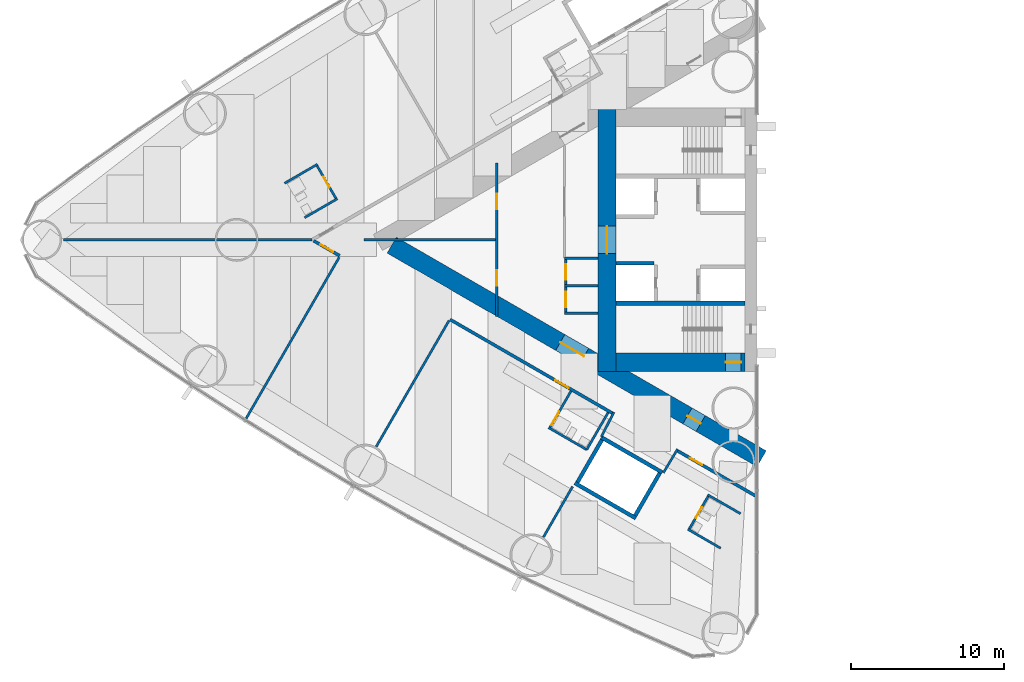
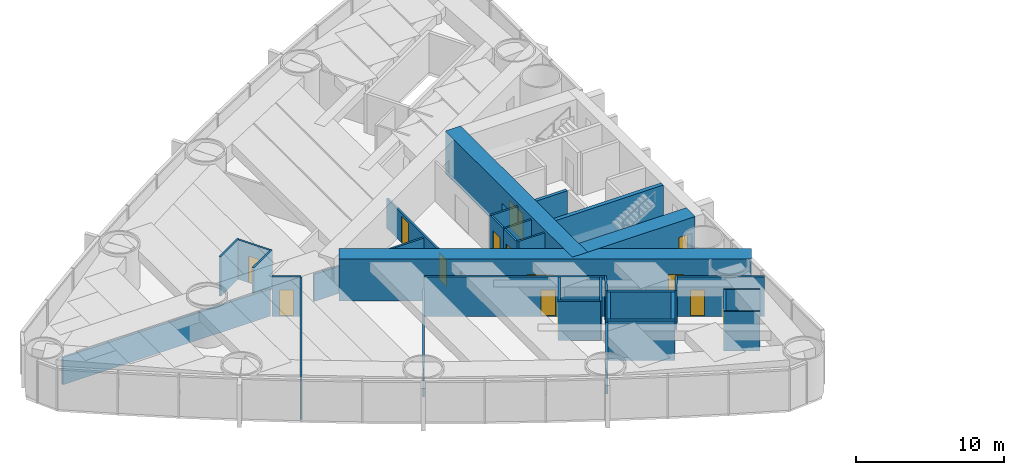
# One storey, part 11 of 18: 34 walls, 14 doors, 14 openings.
"""IFC4 building model written with IfcOpenShell, lengths in metres."""

from ifc_helpers import new_model, si_unit, direction, frame, frame_2d, origin, place, context, subcontext, project, spatial, rectangle, extrude, material, layer, layer_set, type_object, element, fill, save


model = new_model("IFC4")

# Units and contexts
model_context = context("Model", 3, precision=1e-05, world=origin(), true_north=direction((0.0, 1.0)))
body_context = subcontext(model_context, "Body", "Model", "MODEL_VIEW")
ifc_project = project(units=[si_unit("LENGTHUNIT", "METRE"), si_unit("AREAUNIT", "SQUARE_METRE"), si_unit("VOLUMEUNIT", "CUBIC_METRE"), si_unit("PLANEANGLEUNIT", "RADIAN"), si_unit("MASSUNIT", "GRAM", prefix="KILO")], contexts=[model_context])

# Site, building, storey
site_placement = place(None, origin())
site = spatial("IfcSite", under=ifc_project, at=site_placement, CompositionType="ELEMENT")
building_placement = place(site_placement, origin())
building = spatial("IfcBuilding", under=site, at=building_placement, Name="Lancet Gate Hotel", CompositionType="ELEMENT")
storey_placement = place(building_placement, frame((0.0, 0.0, 49.5)))
storey = spatial("IfcBuildingStorey", under=building, at=storey_placement, Name="L12", CompositionType="ELEMENT", Elevation=49.5)

# Wall
ifc_material_1 = material(Name="Moisture resistant board partition")
ifc_layer_1 = layer(ifc_material_1, 0.14990234375)
ifc_layer_set_1 = layer_set([ifc_layer_1], Name="Bathroom wall 150")
wall_type_1 = type_object("IfcWallType", Name="Bathroom wall 150", PredefinedType="PARTITIONING", material=ifc_layer_set_1)
wall_1_placement = place(storey_placement, frame((-56.215087890625, 4.938232421875, 0.0), z_axis=(0.0, 0.0, 1.0), x_axis=(-0.866006523861, -0.500032699561, 0.0)))
element("IfcWall", 1, at=wall_1_placement, inside=storey, type_object=wall_type_1, Name="T1 bathroom wall 150 L12", PredefinedType="PARTITIONING", context=body_context, shape_type="SweptSolid", body=[
    extrude(rectangle(XDim=2.474853515625, YDim=0.14990234375, at=frame_2d((1.2373046875, 0.0))), origin(), (0.0, 0.0, 1.0), 3.25),
])

# Wall, opening, door
wall_2_placement = place(storey_placement, frame((-54.97998046875, 2.64892578125, 0.0), z_axis=(0.0, 0.0, 1.0), x_axis=(-0.500006934395, 0.866021400173, 0.0)))
wall_2 = element("IfcWall", 2, at=wall_2_placement, inside=storey, type_object=wall_type_1, Name="T1 bathroom wall 150 L12", PredefinedType="PARTITIONING", context=body_context, shape_type="SweptSolid", body=[
    extrude(rectangle(XDim=2.60009765625, YDim=0.14990234375, at=frame_2d((1.300048828125, 0.0))), origin(), (0.0, 0.0, 1.0), 3.25),
])
opening_1_placement = place(wall_2_placement, frame((0.89990234375, 0.0, 0.0)))
opening_1 = element("IfcOpeningElement", 3, at=opening_1_placement, cuts=wall_2, Name="Opening 1203-B", PredefinedType="OPENING", context=body_context, shape_type="SweptSolid", body=[
    extrude(rectangle(XDim=0.800048828125, YDim=2.199951171875, at=frame_2d((0.39990234375, 1.10009765625))), frame((0.0, 0.0849609375, 0.0), z_axis=(0.0, -1.0, 0.0), x_axis=(1.0, 0.0, 0.0)), (0.0, 0.0, 1.0), 0.169921875),
])
ifc_material_2 = material(Name="Timber door set", Category="wood")
door_type_1 = type_object("IfcDoorType", Name="Bathroom door 800", OperationType="SINGLE_SWING_RIGHT", PredefinedType="DOOR", material=ifc_material_2)
door_1_placement = place(opening_1_placement, origin())
door_1 = element("IfcDoor", 4, at=door_1_placement, inside=storey, type_object=door_type_1, Name="1203-B", OperationType="SINGLE_SWING_RIGHT", OverallHeight=2.199951171875, OverallWidth=0.800048828125, PredefinedType="DOOR", context=body_context, shape_type="SweptSolid", body=[
    extrude(rectangle(XDim=0.800048828125, YDim=2.199951171875, at=frame_2d((0.39990234375, 1.10009765625))), frame((0.0, 0.02490234375, 0.0), z_axis=(0.0, -1.0, 0.0), x_axis=(1.0, 0.0, 0.0)), (0.0, 0.0, 1.0), 0.050048828125),
])
fill(opening_1, door_1)

# Walls
wall_3_placement = place(storey_placement, frame((-54.9150390625, 2.6865234375, 0.0), z_axis=(0.0, 0.0, 1.0), x_axis=(-0.866006523861, -0.500032699561, 0.0)))
element("IfcWall", 5, at=wall_3_placement, inside=storey, type_object=wall_type_1, Name="T1 bathroom wall 150 L12", PredefinedType="PARTITIONING", context=body_context, shape_type="SweptSolid", body=[
    extrude(rectangle(XDim=2.474853515625, YDim=0.14990234375, at=frame_2d((1.2373046875, 0.0))), origin(), (0.0, 0.0, 1.0), 3.25),
])
wall_4_placement = place(storey_placement, frame((-38.630126953125, -13.705322265625, 0.0), z_axis=(0.0, 0.0, 1.0), x_axis=(-0.866018712932, 0.500011588718, 0.0)))
element("IfcWall", 6, at=wall_4_placement, inside=storey, type_object=wall_type_1, Name="T1 bathroom wall 150 L12", PredefinedType="PARTITIONING", context=body_context, shape_type="SweptSolid", body=[
    extrude(rectangle(XDim=2.875, YDim=0.14990234375, at=frame_2d((1.4375, 0.0))), origin(), (0.0, 0.0, 1.0), 3.25),
])

# Wall, opening, door
wall_5_placement = place(storey_placement, frame((-39.65478515625, -9.88037109375, 0.0), z_axis=(0.0, 0.0, 1.0), x_axis=(-0.500049511043, -0.865996816683, 0.0)))
wall_5 = element("IfcWall", 7, at=wall_5_placement, inside=storey, type_object=wall_type_1, Name="T1 bathroom wall 150 L12", PredefinedType="PARTITIONING", context=body_context, shape_type="SweptSolid", body=[
    extrude(rectangle(XDim=2.800048828125, YDim=0.14990234375, at=frame_2d((1.39990234375, 0.0))), origin(), (0.0, 0.0, 1.0), 3.25),
])
opening_2_placement = place(wall_5_placement, frame((1.550048828125, 0.0, 0.0)))
opening_2 = element("IfcOpeningElement", 8, at=opening_2_placement, cuts=wall_5, Name="Opening 1207-B", PredefinedType="OPENING", context=body_context, shape_type="SweptSolid", body=[
    extrude(rectangle(XDim=1.0, YDim=2.199951171875, at=frame_2d((0.5, 1.10009765625))), frame((0.0, 0.0849609375, 0.0), z_axis=(0.0, -1.0, 0.0), x_axis=(1.0, 0.0, 0.0)), (0.0, 0.0, 1.0), 0.169921875),
])
ifc_material_3 = material(Name="Timber door set", Category="wood")
door_type_2 = type_object("IfcDoorType", Name="Accessible en-suite door 1000", OperationType="SINGLE_SWING_RIGHT", PredefinedType="DOOR", material=ifc_material_3)
door_2_placement = place(opening_2_placement, origin())
door_2 = element("IfcDoor", 9, at=door_2_placement, inside=storey, type_object=door_type_2, Name="1207-B", OperationType="SINGLE_SWING_RIGHT", OverallHeight=2.199951171875, OverallWidth=1.0, PredefinedType="DOOR", context=body_context, shape_type="SweptSolid", body=[
    extrude(rectangle(XDim=1.0, YDim=2.199951171875, at=frame_2d((0.5, 1.10009765625))), frame((0.0, 0.02490234375, 0.0), z_axis=(0.0, -1.0, 0.0), x_axis=(1.0, 0.0, 0.0)), (0.0, 0.0, 1.0), 0.050048828125),
])
fill(opening_2, door_2)

# Walls
wall_6_placement = place(storey_placement, frame((-37.22998046875, -11.280517578125, 0.0), z_axis=(0.0, 0.0, 1.0), x_axis=(-0.500049511043, -0.865996816683, 0.0)))
element("IfcWall", 10, at=wall_6_placement, inside=storey, type_object=wall_type_1, Name="T1 bathroom wall 150 L12", PredefinedType="PARTITIONING", context=body_context, shape_type="SweptSolid", body=[
    extrude(rectangle(XDim=2.800048828125, YDim=0.14990234375, at=frame_2d((1.39990234375, 0.0))), origin(), (0.0, 0.0, 1.0), 3.25),
])
wall_7_placement = place(storey_placement, frame((-29.8818359375, -20.1416015625, 0.0), z_axis=(0.0, 0.0, 1.0), x_axis=(-0.866031185235, 0.4999899861, 0.0)))
element("IfcWall", 11, at=wall_7_placement, inside=storey, type_object=wall_type_1, Name="T1 bathroom wall 150 L12", PredefinedType="PARTITIONING", context=body_context, shape_type="SweptSolid", body=[
    extrude(rectangle(XDim=2.47509765625, YDim=0.14990234375, at=frame_2d((1.237548828125, 0.0))), origin(), (0.0, 0.0, 1.0), 3.25),
])

# Wall, opening, door
wall_8_placement = place(storey_placement, frame((-30.660400390625, -16.68994140625, 0.0), z_axis=(0.0, 0.0, 1.0), x_axis=(-0.499936506574, -0.866062058628, 0.0)))
wall_8 = element("IfcWall", 12, at=wall_8_placement, inside=storey, type_object=wall_type_1, Name="T1 bathroom wall 150 L12", PredefinedType="PARTITIONING", context=body_context, shape_type="SweptSolid", body=[
    extrude(rectangle(XDim=2.599853515625, YDim=0.14990234375, at=frame_2d((1.2998046875, 0.0))), origin(), (0.0, 0.0, 1.0), 3.25),
])
opening_3_placement = place(wall_8_placement, frame((0.89990234375, 0.0, 0.0)))
opening_3 = element("IfcOpeningElement", 13, at=opening_3_placement, cuts=wall_8, Name="Opening 1208-B", PredefinedType="OPENING", context=body_context, shape_type="SweptSolid", body=[
    extrude(rectangle(XDim=0.800048828125, YDim=2.199951171875, at=frame_2d((0.39990234375, 1.10009765625))), frame((0.0, 0.0849609375, 0.0), z_axis=(0.0, -1.0, 0.0), x_axis=(1.0, 0.0, 0.0)), (0.0, 0.0, 1.0), 0.169921875),
])
door_3_placement = place(opening_3_placement, origin())
door_3 = element("IfcDoor", 14, at=door_3_placement, inside=storey, type_object=door_type_1, Name="1208-B", OperationType="SINGLE_SWING_RIGHT", OverallHeight=2.199951171875, OverallWidth=0.800048828125, PredefinedType="DOOR", context=body_context, shape_type="SweptSolid", body=[
    extrude(rectangle(XDim=0.800048828125, YDim=2.199951171875, at=frame_2d((0.39990234375, 1.10009765625))), frame((0.0, 0.02490234375, 0.0), z_axis=(0.0, -1.0, 0.0), x_axis=(1.0, 0.0, 0.0)), (0.0, 0.0, 1.0), 0.050048828125),
])
fill(opening_3, door_3)

# Wall
wall_9_placement = place(storey_placement, frame((-28.581787109375, -17.889892578125, 0.0), z_axis=(0.0, 0.0, 1.0), x_axis=(-0.866073894602, 0.499916002032, 0.0)))
element("IfcWall", 15, at=wall_9_placement, inside=storey, type_object=wall_type_1, Name="T1 bathroom wall 150 L12", PredefinedType="PARTITIONING", context=body_context, shape_type="SweptSolid", body=[
    extrude(rectangle(XDim=2.47509765625, YDim=0.14990234375, at=frame_2d((1.237548828125, 0.0))), origin(), (0.0, 0.0, 1.0), 3.25),
])

# Wall, openings, doors
ifc_material_4 = material(Name="Concrete C70/85", Category="concrete")
ifc_layer_2 = layer(ifc_material_4, 1.199951171875)
ifc_layer_set_2 = layer_set([ifc_layer_2], Name="Buttress wall 1200")
wall_type_2 = type_object("IfcWallType", Name="Buttress wall 1200", PredefinedType="SHEAR", material=ifc_layer_set_2)
wall_10_placement = place(storey_placement, frame((-27.199951171875, -14.300048828125, 0.0), z_axis=(0.0, 0.0, 1.0), x_axis=(-0.866024021859, 0.500002393557, 0.0)))
wall_10 = element("IfcWall", 16, at=wall_10_placement, inside=storey, type_object=wall_type_2, Name="T1 buttress wall N L12", PredefinedType="SHEAR", context=body_context, shape_type="SweptSolid", body=[
    extrude(rectangle(XDim=27.906982421875, YDim=1.199951171875, at=frame_2d((13.95361328125, 0.0))), origin(), (0.0, 0.0, 1.0), 3.5),
])
opening_4_placement = place(wall_10_placement, frame((4.60009765625, 0.0, 0.0)))
opening_4 = element("IfcOpeningElement", 17, at=opening_4_placement, cuts=wall_10, Name="Opening T1-L12-LN", PredefinedType="OPENING", context=body_context, shape_type="SweptSolid", body=[
    extrude(rectangle(XDim=1.0, YDim=2.199951171875, at=frame_2d((0.5, 1.10009765625))), frame((0.0, 0.60986328125, 0.0), z_axis=(0.0, -1.0, 0.0), x_axis=(1.0, 0.0, 0.0)), (0.0, 0.0, 1.0), 1.219970703125),
])
opening_5_placement = place(wall_10_placement, frame((13.39453125, 0.0, 0.0)))
opening_5 = element("IfcOpeningElement", 18, at=opening_5_placement, cuts=wall_10, Name="Opening T1-L12-LHN", PredefinedType="OPENING", context=body_context, shape_type="SweptSolid", body=[
    extrude(rectangle(XDim=1.800048828125, YDim=2.199951171875, at=frame_2d((0.89990234375, 1.10009765625))), frame((0.0, 0.60986328125, 0.0), z_axis=(0.0, -1.0, 0.0), x_axis=(1.0, 0.0, 0.0)), (0.0, 0.0, 1.0), 1.219970703125),
])
ifc_material_5 = material(Name="Timber door set", Category="wood")
door_type_3 = type_object("IfcDoorType", Name="Lobby double door 1800", OperationType="DOUBLE_DOOR_SINGLE_SWING", PredefinedType="DOOR", material=ifc_material_5)
door_4_placement = place(opening_5_placement, origin())
door_4 = element("IfcDoor", 19, at=door_4_placement, inside=storey, type_object=door_type_3, Name="T1-L12-LHN", OperationType="DOUBLE_DOOR_SINGLE_SWING", OverallHeight=2.199951171875, OverallWidth=1.800048828125, PredefinedType="DOOR", context=body_context, shape_type="SweptSolid", body=[
    extrude(rectangle(XDim=1.800048828125, YDim=2.199951171875, at=frame_2d((0.89990234375, 1.10009765625))), frame((0.0, 0.02490234375, 0.0), z_axis=(0.0, -1.0, 0.0), x_axis=(1.0, 0.0, 0.0)), (0.0, 0.0, 1.0), 0.050048828125),
])
fill(opening_5, door_4)
ifc_material_6 = material(Name="Timber door set", Category="wood")
door_type_4 = type_object("IfcDoorType", Name="Stair lobby door 1000", OperationType="SINGLE_SWING_LEFT", PredefinedType="DOOR", material=ifc_material_6)
door_5_placement = place(opening_4_placement, origin())
door_5 = element("IfcDoor", 20, at=door_5_placement, inside=storey, type_object=door_type_4, Name="T1-L12-LN", OperationType="SINGLE_SWING_LEFT", OverallHeight=2.199951171875, OverallWidth=1.0, PredefinedType="DOOR", context=body_context, shape_type="SweptSolid", body=[
    extrude(rectangle(XDim=1.0, YDim=2.199951171875, at=frame_2d((0.5, 1.10009765625))), frame((0.0, 0.02490234375, 0.0), z_axis=(0.0, -1.0, 0.0), x_axis=(1.0, 0.0, 0.0)), (0.0, 0.0, 1.0), 0.050048828125),
])
fill(opening_4, door_5)

# Wall, opening, door
ifc_material_7 = material(Name="Concrete C70/85", Category="concrete")
ifc_layer_3 = layer(ifc_material_7, 1.199951171875)
ifc_layer_set_3 = layer_set([ifc_layer_3], Name="Core wall 1200")
wall_type_3 = type_object("IfcWallType", Name="Core wall 1200", PredefinedType="SHEAR", material=ifc_layer_set_3)
wall_11_placement = place(storey_placement, frame((-37.300048828125, 8.60009765625, 0.0), z_axis=(0.0, 0.0, 1.0), x_axis=(0.0, -1.0, 0.0)))
wall_11 = element("IfcWall", 21, at=wall_11_placement, inside=storey, type_object=wall_type_3, Name="T1 core wall back L12", PredefinedType="SHEAR", context=body_context, shape_type="SweptSolid", body=[
    extrude(rectangle(XDim=17.2001953125, YDim=1.199951171875, at=frame_2d((8.60009765625, 0.0))), origin(), (0.0, 0.0, 1.0), 3.5),
])
opening_6_placement = place(wall_11_placement, frame((7.699951171875, 0.0, 0.0)))
opening_6 = element("IfcOpeningElement", 22, at=opening_6_placement, cuts=wall_11, Name="Opening T1-L12-LL", PredefinedType="OPENING", context=body_context, shape_type="SweptSolid", body=[
    extrude(rectangle(XDim=1.800048828125, YDim=2.199951171875, at=frame_2d((0.89990234375, 1.10009765625))), frame((0.0, 0.60986328125, 0.0), z_axis=(0.0, -1.0, 0.0), x_axis=(1.0, 0.0, 0.0)), (0.0, 0.0, 1.0), 1.219970703125),
])
door_6_placement = place(opening_6_placement, origin())
door_6 = element("IfcDoor", 23, at=door_6_placement, inside=storey, type_object=door_type_3, Name="T1-L12-LL", OperationType="DOUBLE_DOOR_SINGLE_SWING", OverallHeight=2.199951171875, OverallWidth=1.800048828125, PredefinedType="DOOR", context=body_context, shape_type="SweptSolid", body=[
    extrude(rectangle(XDim=1.800048828125, YDim=2.199951171875, at=frame_2d((0.89990234375, 1.10009765625))), frame((0.0, 0.02490234375, 0.0), z_axis=(0.0, -1.0, 0.0), x_axis=(1.0, 0.0, 0.0)), (0.0, 0.0, 1.0), 0.050048828125),
])
fill(opening_6, door_6)

wall_12_placement = place(storey_placement, frame((-28.300048828125, -8.0, 0.0), z_axis=(0.0, 0.0, 1.0), x_axis=(-1.0, 0.0, 0.0)))
wall_12 = element("IfcWall", 24, at=wall_12_placement, inside=storey, type_object=wall_type_3, Name="T1 core wall side-N L12", PredefinedType="SHEAR", context=body_context, shape_type="SweptSolid", body=[
    extrude(rectangle(XDim=8.39990234375, YDim=1.199951171875, at=frame_2d((4.199951171875, 0.0))), origin(), (0.0, 0.0, 1.0), 3.5),
])
opening_7_placement = place(wall_12_placement, frame((0.25, 0.0, 0.0)))
opening_7 = element("IfcOpeningElement", 25, at=opening_7_placement, cuts=wall_12, Name="Opening T1-L12-ST2", PredefinedType="OPENING", context=body_context, shape_type="SweptSolid", body=[
    extrude(rectangle(XDim=1.0, YDim=2.199951171875, at=frame_2d((0.5, 1.10009765625))), frame((0.0, 0.60986328125, 0.0), z_axis=(0.0, -1.0, 0.0), x_axis=(1.0, 0.0, 0.0)), (0.0, 0.0, 1.0), 1.219970703125),
])
ifc_material_8 = material(Name="Timber door set", Category="wood")
door_type_5 = type_object("IfcDoorType", Name="Stair door 1000", OperationType="SINGLE_SWING_RIGHT", PredefinedType="DOOR", material=ifc_material_8)
door_7_placement = place(opening_7_placement, origin())
door_7 = element("IfcDoor", 26, at=door_7_placement, inside=storey, type_object=door_type_5, Name="T1-L12-ST2", OperationType="SINGLE_SWING_RIGHT", OverallHeight=2.199951171875, OverallWidth=1.0, PredefinedType="DOOR", context=body_context, shape_type="SweptSolid", body=[
    extrude(rectangle(XDim=1.0, YDim=2.199951171875, at=frame_2d((0.5, 1.10009765625))), frame((0.0, 0.02490234375, 0.0), z_axis=(0.0, -1.0, 0.0), x_axis=(1.0, 0.0, 0.0)), (0.0, 0.0, 1.0), 0.050048828125),
])
fill(opening_7, door_7)

ifc_material_9 = material(Name="Gypsum board partition")
ifc_layer_4 = layer(ifc_material_9, 0.199951171875)
ifc_layer_set_4 = layer_set([ifc_layer_4], Name="Corridor wall 200")
wall_type_4 = type_object("IfcWallType", Name="Corridor wall 200", PredefinedType="PARTITIONING", material=ifc_layer_set_4)
wall_13_placement = place(storey_placement, frame((-27.572021484375, -16.740966796875, 0.0), z_axis=(0.0, 0.0, 1.0), x_axis=(-0.866024464444, 0.500001626982, 0.0)))
wall_13 = element("IfcWall", 27, at=wall_13_placement, inside=storey, type_object=wall_type_4, Name="T1 corridor wall 200 L12", PredefinedType="PARTITIONING", context=body_context, shape_type="SweptSolid", body=[
    extrude(rectangle(XDim=5.955078125, YDim=0.199951171875, at=frame_2d((2.9775390625, 0.0))), origin(), (0.0, 0.0, 1.0), 3.25),
])
opening_8_placement = place(wall_13_placement, frame((4.050048828125, 0.0, 0.0)))
opening_8 = element("IfcOpeningElement", 28, at=opening_8_placement, cuts=wall_13, Name="Opening 1208-E", PredefinedType="OPENING", context=body_context, shape_type="SweptSolid", body=[
    extrude(rectangle(XDim=0.949951171875, YDim=2.199951171875, at=frame_2d((0.47509765625, 1.10009765625))), frame((0.0, 0.10986328125, 0.0), z_axis=(0.0, -1.0, 0.0), x_axis=(1.0, 0.0, 0.0)), (0.0, 0.0, 1.0), 0.219970703125),
])
ifc_material_10 = material(Name="Timber door set", Category="wood")
door_type_6 = type_object("IfcDoorType", Name="Guest room entry door 950", OperationType="SINGLE_SWING_LEFT", PredefinedType="DOOR", material=ifc_material_10)
door_8_placement = place(opening_8_placement, origin())
door_8 = element("IfcDoor", 29, at=door_8_placement, inside=storey, type_object=door_type_6, Name="1208-E", OperationType="SINGLE_SWING_LEFT", OverallHeight=2.199951171875, OverallWidth=0.949951171875, PredefinedType="DOOR", context=body_context, shape_type="SweptSolid", body=[
    extrude(rectangle(XDim=0.949951171875, YDim=2.199951171875, at=frame_2d((0.47509765625, 1.10009765625))), frame((0.0, 0.02490234375, 0.0), z_axis=(0.0, -1.0, 0.0), x_axis=(1.0, 0.0, 0.0)), (0.0, 0.0, 1.0), 0.050048828125),
])
fill(opening_8, door_8)

wall_14_placement = place(storey_placement, frame((-36.920166015625, -11.34375, 0.0), z_axis=(0.0, 0.0, 1.0), x_axis=(-0.866025017052, 0.500000669839, 0.0)))
wall_14 = element("IfcWall", 30, at=wall_14_placement, inside=storey, type_object=wall_type_4, Name="T1 corridor wall 200 L12", PredefinedType="PARTITIONING", context=body_context, shape_type="SweptSolid", body=[
    extrude(rectangle(XDim=12.2802734375, YDim=0.199951171875, at=frame_2d((6.14013671875, 0.0))), origin(), (0.0, 0.0, 1.0), 3.25),
])
opening_9_placement = place(wall_14_placement, frame((3.35009765625, 0.0, 0.0)))
opening_9 = element("IfcOpeningElement", 31, at=opening_9_placement, cuts=wall_14, Name="Opening 1207-E", PredefinedType="OPENING", context=body_context, shape_type="SweptSolid", body=[
    extrude(rectangle(XDim=1.0, YDim=2.199951171875, at=frame_2d((0.5, 1.10009765625))), frame((0.0, 0.10986328125, 0.0), z_axis=(0.0, -1.0, 0.0), x_axis=(1.0, 0.0, 0.0)), (0.0, 0.0, 1.0), 0.219970703125),
])
ifc_material_11 = material(Name="Timber door set", Category="wood")
door_type_7 = type_object("IfcDoorType", Name="Accessible guest room door 1000", OperationType="SINGLE_SWING_LEFT", PredefinedType="DOOR", material=ifc_material_11)
door_9_placement = place(opening_9_placement, origin())
door_9 = element("IfcDoor", 32, at=door_9_placement, inside=storey, type_object=door_type_7, Name="1207-E", OperationType="SINGLE_SWING_LEFT", OverallHeight=2.199951171875, OverallWidth=1.0, PredefinedType="DOOR", context=body_context, shape_type="SweptSolid", body=[
    extrude(rectangle(XDim=1.0, YDim=2.199951171875, at=frame_2d((0.5, 1.10009765625))), frame((0.0, 0.02490234375, 0.0), z_axis=(0.0, -1.0, 0.0), x_axis=(1.0, 0.0, 0.0)), (0.0, 0.0, 1.0), 0.050048828125),
])
fill(opening_9, door_9)

wall_15_placement = place(storey_placement, frame((-54.767578125, -1.03955078125, 0.0), z_axis=(0.0, 0.0, 1.0), x_axis=(-0.866056934013, 0.499945384066, 0.0)))
wall_15 = element("IfcWall", 33, at=wall_15_placement, inside=storey, type_object=wall_type_4, Name="T1 corridor wall 200 L12", PredefinedType="PARTITIONING", context=body_context, shape_type="SweptSolid", body=[
    extrude(rectangle(XDim=1.959228515625, YDim=0.199951171875, at=frame_2d((0.9794921875, 0.0))), origin(), (0.0, 0.0, 1.0), 3.25),
])
opening_10_placement = place(wall_15_placement, frame((0.504638671875, 0.0, 0.0)))
opening_10 = element("IfcOpeningElement", 34, at=opening_10_placement, cuts=wall_15, Name="Opening 1205-E", PredefinedType="OPENING", context=body_context, shape_type="SweptSolid", body=[
    extrude(rectangle(XDim=0.949951171875, YDim=2.199951171875, at=frame_2d((0.47509765625, 1.10009765625))), frame((0.0, 0.10986328125, 0.0), z_axis=(0.0, -1.0, 0.0), x_axis=(1.0, 0.0, 0.0)), (0.0, 0.0, 1.0), 0.219970703125),
])
door_10_placement = place(opening_10_placement, origin())
door_10 = element("IfcDoor", 35, at=door_10_placement, inside=storey, type_object=door_type_6, Name="1205-E", OperationType="SINGLE_SWING_LEFT", OverallHeight=2.199951171875, OverallWidth=0.949951171875, PredefinedType="DOOR", context=body_context, shape_type="SweptSolid", body=[
    extrude(rectangle(XDim=0.949951171875, YDim=2.199951171875, at=frame_2d((0.47509765625, 1.10009765625))), frame((0.0, 0.02490234375, 0.0), z_axis=(0.0, -1.0, 0.0), x_axis=(1.0, 0.0, 0.0)), (0.0, 0.0, 1.0), 0.050048828125),
])
fill(opening_10, door_10)

# Walls
ifc_material_12 = material(Name="Gypsum board partition")
ifc_layer_5 = layer(ifc_material_12, 0.25)
ifc_layer_set_5 = layer_set([ifc_layer_5], Name="Lift shaft partition 250")
wall_type_5 = type_object("IfcWallType", Name="Lift shaft partition 250", PredefinedType="PARTITIONING", material=ifc_layer_set_5)
wall_16_placement = place(storey_placement, frame((-33.695556640625, -15.197265625, 0.0), z_axis=(0.0, 0.0, 1.0), x_axis=(-0.865976953817, 0.500083908417, 0.0)))
element("IfcWall", 36, at=wall_16_placement, inside=storey, type_object=wall_type_5, Name="T1 lift shaft wall EX L12", PredefinedType="PARTITIONING", context=body_context, shape_type="SweptSolid", body=[
    extrude(rectangle(XDim=4.599365234375, YDim=0.25, at=frame_2d((2.2998046875, 0.0))), origin(), (0.0, 0.0, 1.0), 3.25),
])
wall_17_placement = place(storey_placement, frame((-35.42041015625, -18.185791015625, 0.0), z_axis=(0.0, 0.0, 1.0), x_axis=(-0.865990227814, 0.50006092162, 0.0)))
element("IfcWall", 37, at=wall_17_placement, inside=storey, type_object=wall_type_5, Name="T1 lift shaft wall EX L12", PredefinedType="PARTITIONING", context=body_context, shape_type="SweptSolid", body=[
    extrude(rectangle(XDim=4.599609375, YDim=0.25, at=frame_2d((2.2998046875, 0.0))), origin(), (0.0, 0.0, 1.0), 3.25),
])
wall_18_placement = place(storey_placement, frame((-33.8662109375, -15.242919921875, 0.0), z_axis=(0.0, 0.0, 1.0), x_axis=(-0.499929347863, -0.866066190972, 0.0)))
element("IfcWall", 38, at=wall_18_placement, inside=storey, type_object=wall_type_5, Name="T1 lift shaft wall EX L12", PredefinedType="PARTITIONING", context=body_context, shape_type="SweptSolid", body=[
    extrude(rectangle(XDim=3.20068359375, YDim=0.25, at=frame_2d((1.600341796875, 0.0))), origin(), (0.0, 0.0, 1.0), 3.25),
])
wall_19_placement = place(storey_placement, frame((-37.6328125, -13.068115234375, 0.0), z_axis=(0.0, 0.0, 1.0), x_axis=(-0.499872130319, -0.866099216793, 0.0)))
element("IfcWall", 39, at=wall_19_placement, inside=storey, type_object=wall_type_5, Name="T1 lift shaft wall EX L12", PredefinedType="PARTITIONING", context=body_context, shape_type="SweptSolid", body=[
    extrude(rectangle(XDim=3.200439453125, YDim=0.25, at=frame_2d((1.60009765625, 0.0))), origin(), (0.0, 0.0, 1.0), 3.25),
])
ifc_material_13 = material(Name="Concrete C50/60", Category="concrete")
ifc_layer_6 = layer(ifc_material_13, 0.25)
ifc_layer_set_6 = layer_set([ifc_layer_6], Name="Lift shaft wall 250")
wall_type_6 = type_object("IfcWallType", Name="Lift shaft wall 250", PredefinedType="SHEAR", material=ifc_layer_set_6)
wall_20_placement = place(storey_placement, frame((-34.25, -1.52490234375, 0.0), z_axis=(0.0, 0.0, 1.0), x_axis=(-1.0, 0.0, 0.0)))
element("IfcWall", 40, at=wall_20_placement, inside=storey, type_object=wall_type_6, Name="T1 core wall pass2-N L12", PredefinedType="SHEAR", context=body_context, shape_type="SweptSolid", body=[
    extrude(rectangle(XDim=2.449951171875, YDim=0.25, at=frame_2d((1.22509765625, 0.0))), origin(), (0.0, 0.0, 1.0), 3.5),
])
ifc_material_14 = material(Name="Gypsum board partition")
ifc_layer_7 = layer(ifc_material_14, 0.14990234375)
ifc_layer_set_7 = layer_set([ifc_layer_7], Name="Party wall 150")
wall_type_7 = type_object("IfcWallType", Name="Party wall 150", PredefinedType="PARTITIONING", material=ifc_layer_set_7)
wall_21_placement = place(storey_placement, frame((-47.626708984375, -5.27783203125, 0.0), z_axis=(0.0, 0.0, 1.0), x_axis=(-0.500009844318, -0.86601972009, 0.0)))
element("IfcWall", 41, at=wall_21_placement, inside=storey, type_object=wall_type_7, Name="T1 party wall 150 L12", PredefinedType="PARTITIONING", context=body_context, shape_type="SweptSolid", body=[
    extrude(rectangle(XDim=9.510498046875, YDim=0.14990234375, at=frame_2d((4.75537109375, 0.0))), origin(), (0.0, 0.0, 1.0), 2.25),
])
wall_22_placement = place(storey_placement, frame((-54.796142578125, -1.138671875, 0.0), z_axis=(0.0, 0.0, 1.0), x_axis=(-0.499998860433, -0.866026061713, 0.0)))
element("IfcWall", 42, at=wall_22_placement, inside=storey, type_object=wall_type_7, Name="T1 party wall 150 L12", PredefinedType="PARTITIONING", context=body_context, shape_type="SweptSolid", body=[
    extrude(rectangle(XDim=12.15673828125, YDim=0.14990234375, at=frame_2d((6.078369140625, 0.0))), origin(), (0.0, 0.0, 1.0), 3.25),
])
wall_23_placement = place(storey_placement, frame((-56.568359375, 0.0, 0.0), z_axis=(0.0, 0.0, 1.0), x_axis=(-1.0, 0.0, 0.0)))
element("IfcWall", 43, at=wall_23_placement, inside=storey, type_object=wall_type_7, Name="T1 party wall 150 L12", PredefinedType="PARTITIONING", context=body_context, shape_type="SweptSolid", body=[
    extrude(rectangle(XDim=16.246826171875, YDim=0.14990234375, at=frame_2d((8.12353515625, 0.0))), origin(), (0.0, 0.0, 1.0), 2.25),
])
wall_24_placement = place(storey_placement, frame((-39.55078125, -16.118408203125, 0.0), z_axis=(0.0, 0.0, 1.0), x_axis=(-0.499986503906, -0.866033195618, 0.0)))
element("IfcWall", 44, at=wall_24_placement, inside=storey, type_object=wall_type_7, Name="T1 party wall 150 L12", PredefinedType="PARTITIONING", context=body_context, shape_type="SweptSolid", body=[
    extrude(rectangle(XDim=3.81494140625, YDim=0.14990234375, at=frame_2d((1.907470703125, 0.0))), origin(), (0.0, 0.0, 1.0), 3.25),
])
ifc_material_15 = material(Name="Gypsum board partition")
ifc_layer_8 = layer(ifc_material_15, 0.14990234375)
ifc_layer_set_8 = layer_set([ifc_layer_8], Name="Service room wall 150")
wall_type_8 = type_object("IfcWallType", Name="Service room wall 150", PredefinedType="PARTITIONING", material=ifc_layer_set_8)
wall_25_placement = place(storey_placement, frame((-36.857177734375, -11.2646484375, 0.0), z_axis=(0.0, 0.0, 1.0), x_axis=(-0.454225294761, -0.890886851176, 0.0)))
element("IfcWall", 45, at=wall_25_placement, inside=storey, type_object=wall_type_8, Name="T1 service room wall 150 L12", PredefinedType="PARTITIONING", context=body_context, shape_type="SweptSolid", body=[
    extrude(rectangle(XDim=1.80712890625, YDim=0.14990234375, at=frame_2d((0.903564453125, 0.0))), origin(), (0.0, 0.0, 1.0), 3.25),
])
wall_26_placement = place(storey_placement, frame((-33.62060546875, -15.217529296875, 0.0), z_axis=(0.0, 0.0, 1.0), x_axis=(0.514336634837, 0.857588377991, 0.0)))
element("IfcWall", 46, at=wall_26_placement, inside=storey, type_object=wall_type_8, Name="T1 service room wall 150 L12", PredefinedType="PARTITIONING", context=body_context, shape_type="SweptSolid", body=[
    extrude(rectangle(XDim=1.80517578125, YDim=0.14990234375, at=frame_2d((0.902587890625, 0.0))), origin(), (0.0, 0.0, 1.0), 3.25),
])
for number, where, z_axis, x_axis, name in (
    (47, (-37.89990234375, -1.199951171875, 0.0), (0.0, 0.0, 1.0), (-1.0, 0.0, 0.0), "T1 service room wall 150 L12"),
    (48, (-37.89990234375, -3.0, 0.0), (0.0, 0.0, 1.0), (-1.0, 0.0, 0.0), "T1 service room wall 150 L12"),
    (49, (-37.89990234375, -4.800048828125, 0.0), (0.0, 0.0, 1.0), (-1.0, 0.0, 0.0), "T1 service room wall 150 L12"),
):
    element("IfcWall", number, at=place(storey_placement, frame(where, z_axis=z_axis, x_axis=x_axis)), inside=storey, type_object=wall_type_8, Name=name, PredefinedType="PARTITIONING", context=body_context, shape_type="SweptSolid", body=[
        extrude(rectangle(XDim=2.175048828125, YDim=0.14990234375, at=frame_2d((1.08740234375, 0.0))), origin(), (0.0, 0.0, 1.0), 3.25),
    ])

# Wall, opening, door
wall_27_placement = place(storey_placement, frame((-40.0, -1.125, 0.0), z_axis=(0.0, 0.0, 1.0), x_axis=(0.0, -1.0, 0.0)))
wall_27 = element("IfcWall", 50, at=wall_27_placement, inside=storey, type_object=wall_type_8, Name="T1 service room wall 150 L12", PredefinedType="PARTITIONING", context=body_context, shape_type="SweptSolid", body=[
    extrude(rectangle(XDim=1.949951171875, YDim=0.14990234375, at=frame_2d((0.97509765625, 0.0))), origin(), (0.0, 0.0, 1.0), 3.25),
])
opening_11_placement = place(wall_27_placement, frame((0.47509765625, 0.0, 0.0)))
opening_11 = element("IfcOpeningElement", 51, at=opening_11_placement, cuts=wall_27, Name="Opening T1-L12-HRN0", PredefinedType="OPENING", context=body_context, shape_type="SweptSolid", body=[
    extrude(rectangle(XDim=1.0, YDim=2.199951171875, at=frame_2d((0.5, 1.10009765625))), frame((0.0, 0.0849609375, 0.0), z_axis=(0.0, -1.0, 0.0), x_axis=(1.0, 0.0, 0.0)), (0.0, 0.0, 1.0), 0.169921875),
])
ifc_material_16 = material(Name="Timber door set", Category="wood")
door_type_8 = type_object("IfcDoorType", Name="Service door 1000", OperationType="SINGLE_SWING_LEFT", PredefinedType="DOOR", material=ifc_material_16)
door_11_placement = place(opening_11_placement, origin())
door_11 = element("IfcDoor", 52, at=door_11_placement, inside=storey, type_object=door_type_8, Name="T1-L12-HRN0", OperationType="SINGLE_SWING_LEFT", OverallHeight=2.199951171875, OverallWidth=1.0, PredefinedType="DOOR", context=body_context, shape_type="SweptSolid", body=[
    extrude(rectangle(XDim=1.0, YDim=2.199951171875, at=frame_2d((0.5, 1.10009765625))), frame((0.0, 0.02490234375, 0.0), z_axis=(0.0, -1.0, 0.0), x_axis=(1.0, 0.0, 0.0)), (0.0, 0.0, 1.0), 0.050048828125),
])
fill(opening_11, door_11)

wall_28_placement = place(storey_placement, frame((-40.0, -2.925048828125, 0.0), z_axis=(0.0, 0.0, 1.0), x_axis=(0.0, -1.0, 0.0)))
wall_28 = element("IfcWall", 53, at=wall_28_placement, inside=storey, type_object=wall_type_8, Name="T1 service room wall 150 L12", PredefinedType="PARTITIONING", context=body_context, shape_type="SweptSolid", body=[
    extrude(rectangle(XDim=1.949951171875, YDim=0.14990234375, at=frame_2d((0.97509765625, 0.0))), origin(), (0.0, 0.0, 1.0), 3.25),
])
opening_12_placement = place(wall_28_placement, frame((0.47509765625, 0.0, 0.0)))
opening_12 = element("IfcOpeningElement", 54, at=opening_12_placement, cuts=wall_28, Name="Opening T1-L12-HRN1", PredefinedType="OPENING", context=body_context, shape_type="SweptSolid", body=[
    extrude(rectangle(XDim=1.0, YDim=2.199951171875, at=frame_2d((0.5, 1.10009765625))), frame((0.0, 0.0849609375, 0.0), z_axis=(0.0, -1.0, 0.0), x_axis=(1.0, 0.0, 0.0)), (0.0, 0.0, 1.0), 0.169921875),
])
door_12_placement = place(opening_12_placement, origin())
door_12 = element("IfcDoor", 55, at=door_12_placement, inside=storey, type_object=door_type_8, Name="T1-L12-HRN1", OperationType="SINGLE_SWING_LEFT", OverallHeight=2.199951171875, OverallWidth=1.0, PredefinedType="DOOR", context=body_context, shape_type="SweptSolid", body=[
    extrude(rectangle(XDim=1.0, YDim=2.199951171875, at=frame_2d((0.5, 1.10009765625))), frame((0.0, 0.02490234375, 0.0), z_axis=(0.0, -1.0, 0.0), x_axis=(1.0, 0.0, 0.0)), (0.0, 0.0, 1.0), 0.050048828125),
])
fill(opening_12, door_12)

# Wall, openings, doors
wall_29_placement = place(storey_placement, frame((-44.5, 5.004638671875, 0.0), z_axis=(0.0, 0.0, 1.0), x_axis=(0.0, -1.0, 0.0)))
wall_29 = element("IfcWall", 56, at=wall_29_placement, inside=storey, type_object=wall_type_8, Name="T1 service room wall 150 L12", PredefinedType="PARTITIONING", context=body_context, shape_type="SweptSolid", body=[
    extrude(rectangle(XDim=10.00927734375, YDim=0.14990234375, at=frame_2d((5.004638671875, 0.0))), origin(), (0.0, 0.0, 1.0), 2.449951171875),
])
opening_13_placement = place(wall_29_placement, frame((2.002197265625, 0.0, 0.0)))
opening_13 = element("IfcOpeningElement", 57, at=opening_13_placement, cuts=wall_29, Name="Opening T1-L12-SV", PredefinedType="OPENING", context=body_context, shape_type="SweptSolid", body=[
    extrude(rectangle(XDim=1.0, YDim=2.199951171875, at=frame_2d((0.5, 1.10009765625))), frame((0.0, 0.0849609375, 0.0), z_axis=(0.0, -1.0, 0.0), x_axis=(1.0, 0.0, 0.0)), (0.0, 0.0, 1.0), 0.169921875),
])
opening_14_placement = place(wall_29_placement, frame((7.0068359375, 0.0, 0.0)))
opening_14 = element("IfcOpeningElement", 58, at=opening_14_placement, cuts=wall_29, Name="Opening T1-L12-SV2", PredefinedType="OPENING", context=body_context, shape_type="SweptSolid", body=[
    extrude(rectangle(XDim=1.0, YDim=2.199951171875, at=frame_2d((0.5, 1.10009765625))), frame((0.0, 0.0849609375, 0.0), z_axis=(0.0, -1.0, 0.0), x_axis=(1.0, 0.0, 0.0)), (0.0, 0.0, 1.0), 0.169921875),
])
door_13_placement = place(opening_13_placement, origin())
door_13 = element("IfcDoor", 59, at=door_13_placement, inside=storey, type_object=door_type_8, Name="T1-L12-SV", OperationType="SINGLE_SWING_LEFT", OverallHeight=2.199951171875, OverallWidth=1.0, PredefinedType="DOOR", context=body_context, shape_type="SweptSolid", body=[
    extrude(rectangle(XDim=1.0, YDim=2.199951171875, at=frame_2d((0.5, 1.10009765625))), frame((0.0, 0.02490234375, 0.0), z_axis=(0.0, -1.0, 0.0), x_axis=(1.0, 0.0, 0.0)), (0.0, 0.0, 1.0), 0.050048828125),
])
fill(opening_13, door_13)
door_14_placement = place(opening_14_placement, origin())
door_14 = element("IfcDoor", 60, at=door_14_placement, inside=storey, type_object=door_type_8, Name="T1-L12-SV2", OperationType="SINGLE_SWING_LEFT", OverallHeight=2.199951171875, OverallWidth=1.0, PredefinedType="DOOR", context=body_context, shape_type="SweptSolid", body=[
    extrude(rectangle(XDim=1.0, YDim=2.199951171875, at=frame_2d((0.5, 1.10009765625))), frame((0.0, 0.02490234375, 0.0), z_axis=(0.0, -1.0, 0.0), x_axis=(1.0, 0.0, 0.0)), (0.0, 0.0, 1.0), 0.050048828125),
])
fill(opening_14, door_14)

# Walls
wall_30_placement = place(storey_placement, frame((-44.574951171875, 0.0, 0.0), z_axis=(0.0, 0.0, 1.0), x_axis=(-1.0, 0.0, 0.0)))
element("IfcWall", 61, at=wall_30_placement, inside=storey, type_object=wall_type_8, Name="T1 service room wall 150 L12", PredefinedType="PARTITIONING", context=body_context, shape_type="SweptSolid", body=[
    extrude(rectangle(XDim=8.59326171875, YDim=0.14990234375, at=frame_2d((4.296630859375, 0.0))), origin(), (0.0, 0.0, 1.0), 2.25),
])
ifc_material_17 = material(Name="Concrete C50/60", Category="concrete")
ifc_layer_9 = layer(ifc_material_17, 0.300048828125)
ifc_layer_set_9 = layer_set([ifc_layer_9], Name="Stair enclosure wall 300")
wall_type_9 = type_object("IfcWallType", Name="Stair enclosure wall 300", PredefinedType="SHEAR", material=ifc_layer_set_9)
wall_31_placement = place(storey_placement, frame((-28.300048828125, -4.14990234375, 0.0), z_axis=(0.0, 0.0, 1.0), x_axis=(-1.0, 0.0, 0.0)))
element("IfcWall", 62, at=wall_31_placement, inside=storey, type_object=wall_type_9, Name="T1 core wall stair-N L12", PredefinedType="SHEAR", context=body_context, shape_type="SweptSolid", body=[
    extrude(rectangle(XDim=8.39990234375, YDim=0.300048828125, at=frame_2d((4.199951171875, 0.0))), origin(), (0.0, 0.0, 1.0), 3.5),
])

save(model, "model.ifc")
